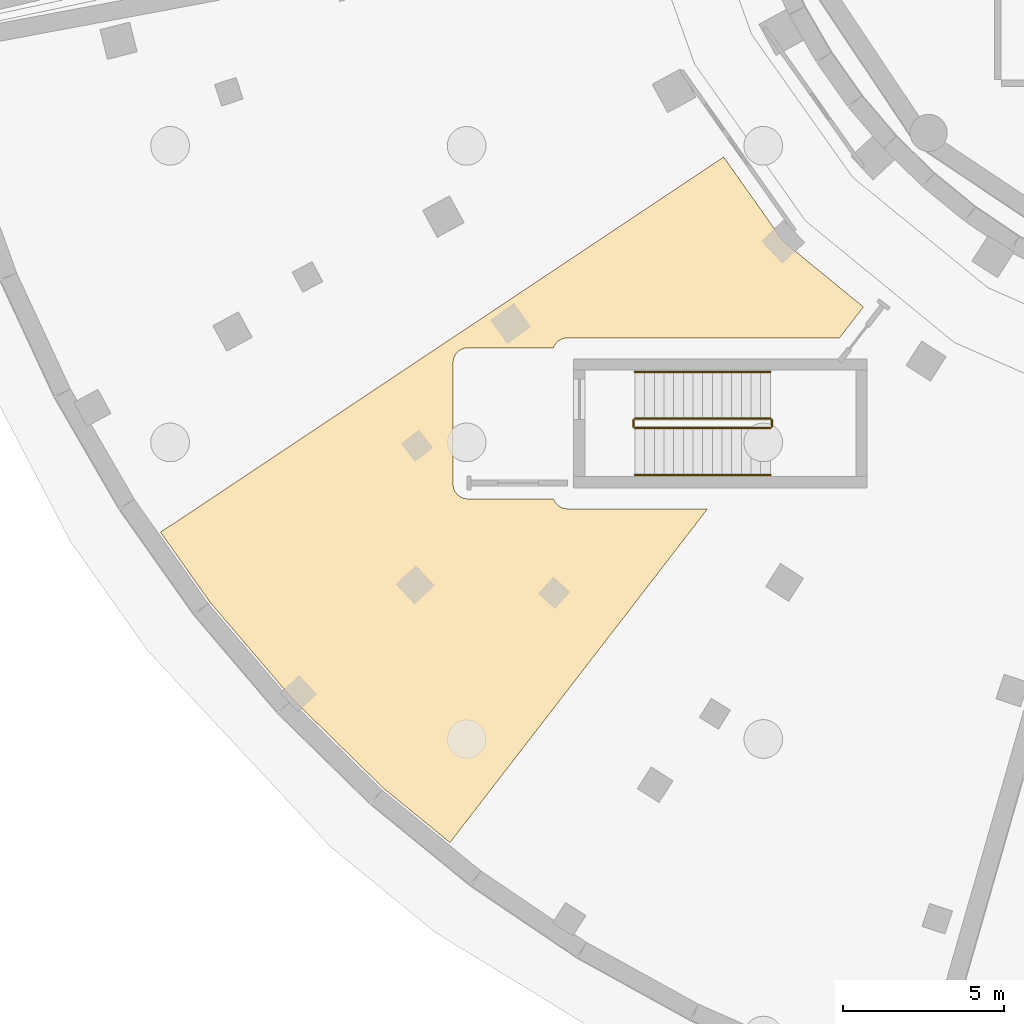
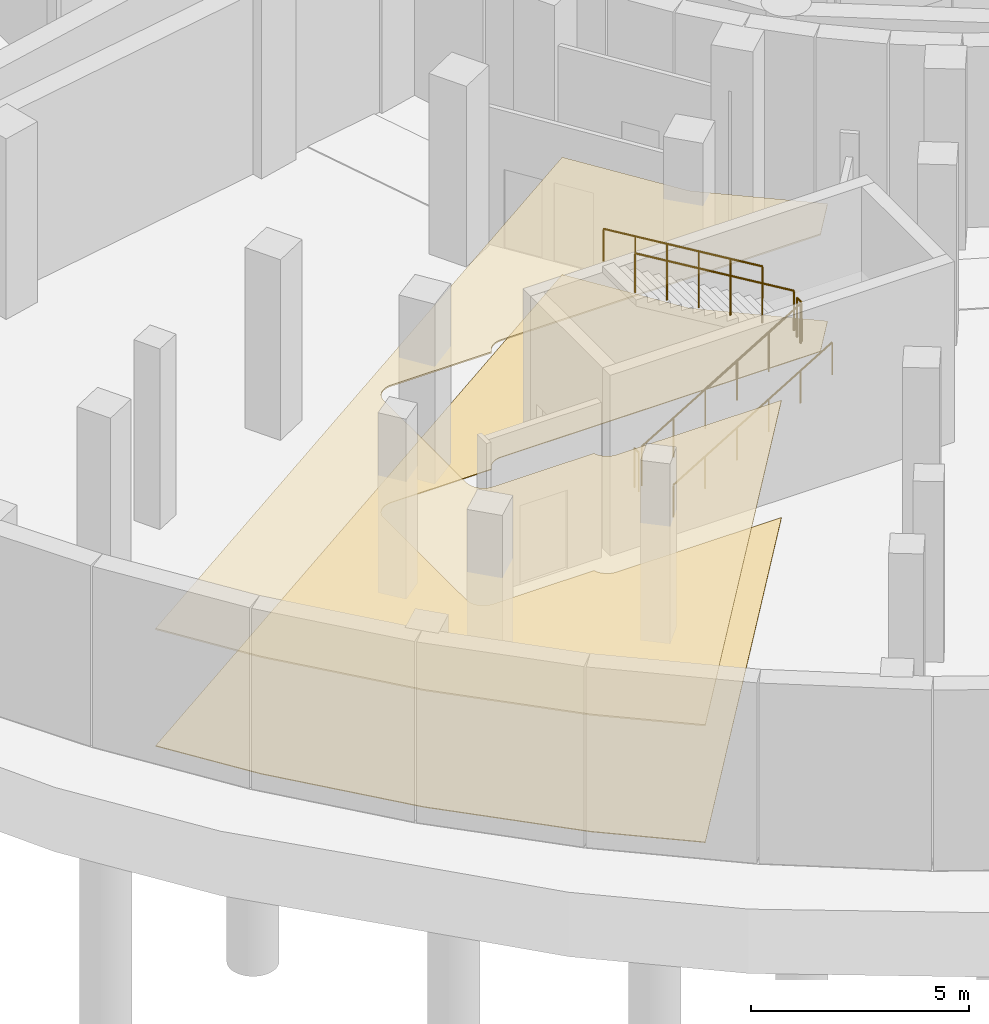
# One storey, part 20 of 33: 6 railings, 2 coverings.
"""IFC4 building model written with IfcOpenShell, lengths in metres."""

from ifc_helpers import new_model, si_unit, direction, frame, origin, origin_2d, place, context, subcontext, project, spatial, polyline, circle, outline, extrude, material, layer, layer_set, type_object, element, save


model = new_model("IFC4")

# Units and contexts
model_context = context("Model", 3, precision=1e-05, world=origin(), true_north=direction((0.0, 1.0)))
body_context = subcontext(model_context, "Body", "Model", "MODEL_VIEW")
ifc_project = project(units=[si_unit("LENGTHUNIT", "METRE"), si_unit("AREAUNIT", "SQUARE_METRE"), si_unit("VOLUMEUNIT", "CUBIC_METRE"), si_unit("PLANEANGLEUNIT", "RADIAN"), si_unit("MASSUNIT", "GRAM", prefix="KILO")], contexts=[model_context])

# Site, building, storey
site_placement = place(None, origin())
site = spatial("IfcSite", under=ifc_project, at=site_placement, CompositionType="ELEMENT")
building_placement = place(site_placement, origin())
building = spatial("IfcBuilding", under=site, at=building_placement, Name="Soyqirgoq Riverine Aquarium", CompositionType="ELEMENT")
storey_placement = place(building_placement, frame((0.0, 0.0, -5.39990234375)))
storey = spatial("IfcBuildingStorey", under=building, at=storey_placement, Name="B01", CompositionType="ELEMENT", Elevation=-5.39990234375)

# Coverings
ifc_material_1 = material(Name="Seamless slip-resistant marine epoxy flooring", Category="concrete")
ifc_layer_1 = layer(ifc_material_1, 0.02001953125)
ifc_layer_set_1 = layer_set([ifc_layer_1], Name="Seamless slip-resistant marine epoxy flooring")
covering_type_1 = type_object("IfcCoveringType", Name="EpoxyWetFloorFinish_20", PredefinedType="FLOORING", material=ifc_layer_set_1)
covering_1_placement = place(storey_placement, origin())
element("IfcCovering", 1, at=covering_1_placement, inside=storey, type_object=covering_type_1, Name="Aquarium Retail Archive Floor Finish", PredefinedType="FLOORING", context=body_context, shape_type="SweptSolid", body=[
    extrude(outline(polyline([(26.75390625, 24.327880859375), (23.930908203125, 27.094970703125), (21.367919921875, 30.10400390625), (19.833984375, 32.27392578125), (37.302978515625, 43.909912109375), (39.117919921875, 41.341064453125), (39.14306640625, 41.30908203125), (39.1708984375, 41.279052734375), (39.200927734375, 41.251953125), (41.636962890625, 39.261962890625), (40.89501953125, 38.300048828125), (32.449951171875, 38.300048828125), (32.406005859375, 38.298095703125), (32.362060546875, 38.291015625), (32.319091796875, 38.281005859375), (32.278076171875, 38.26611328125), (32.238037109375, 38.2470703125), (32.199951171875, 38.22412109375), (32.1650390625, 38.197998046875), (32.132080078125, 38.16796875), (32.10205078125, 38.135009765625), (32.075927734375, 38.10009765625), (32.052978515625, 38.06201171875), (32.033935546875, 38.02197265625), (32.02294921875, 37.989990234375), (29.360107421875, 37.989990234375), (29.31591796875, 37.988037109375), (29.27197265625, 37.98095703125), (29.22900390625, 37.970947265625), (29.18798828125, 37.9560546875), (29.14794921875, 37.93701171875), (29.110107421875, 37.9140625), (29.074951171875, 37.887939453125), (29.0419921875, 37.85791015625), (29.011962890625, 37.824951171875), (28.986083984375, 37.7900390625), (28.962890625, 37.751953125), (28.944091796875, 37.7119140625), (28.928955078125, 37.6708984375), (28.9189453125, 37.6279296875), (28.912109375, 37.583984375), (28.909912109375, 37.5400390625), (28.909912109375, 33.760009765625), (28.912109375, 33.716064453125), (28.9189453125, 33.672119140625), (28.928955078125, 33.62890625), (28.944091796875, 33.587890625), (28.962890625, 33.548095703125), (28.986083984375, 33.510009765625), (29.011962890625, 33.47509765625), (29.0419921875, 33.44189453125), (29.074951171875, 33.412109375), (29.110107421875, 33.385986328125), (29.14794921875, 33.363037109375), (29.18798828125, 33.343994140625), (29.22900390625, 33.3291015625), (29.27197265625, 33.319091796875), (29.31591796875, 33.31201171875), (29.360107421875, 33.31005859375), (32.02294921875, 33.31005859375), (32.033935546875, 33.278076171875), (32.052978515625, 33.238037109375), (32.075927734375, 33.199951171875), (32.10205078125, 33.1650390625), (32.132080078125, 33.132080078125), (32.1650390625, 33.10205078125), (32.199951171875, 33.075927734375), (32.238037109375, 33.052978515625), (32.278076171875, 33.033935546875), (32.319091796875, 33.01904296875), (32.362060546875, 33.009033203125), (32.406005859375, 33.001953125), (32.449951171875, 33.0), (36.802978515625, 33.0), (28.81201171875, 22.64697265625), (26.75390625, 24.327880859375)])), origin(), (0.0, 0.0, 1.0), 0.02001953125),
])
ifc_material_2 = material(Name="Anodised aluminium marine moisture-resistant ceiling", Category="aluminium")
ifc_layer_2 = layer(ifc_material_2, 0.0400390625)
ifc_layer_set_2 = layer_set([ifc_layer_2], Name="Anodised aluminium marine moisture-resistant ceiling")
covering_type_2 = type_object("IfcCoveringType", Name="MoistureCeiling_40", PredefinedType="CEILING", material=ifc_layer_set_2)
covering_2_placement = place(storey_placement, frame((0.0, 0.0, 3.260009765625)))
element("IfcCovering", 2, at=covering_2_placement, inside=storey, type_object=covering_type_2, Name="Aquarium Retail Archive Suspended Ceiling", PredefinedType="CEILING", context=body_context, shape_type="SweptSolid", body=[
    extrude(outline(polyline([(26.75390625, 24.327880859375), (23.930908203125, 27.094970703125), (21.367919921875, 30.10400390625), (19.833984375, 32.27392578125), (37.302978515625, 43.909912109375), (39.117919921875, 41.341064453125), (39.14306640625, 41.30908203125), (39.1708984375, 41.279052734375), (39.200927734375, 41.251953125), (41.636962890625, 39.261962890625), (40.89501953125, 38.300048828125), (32.449951171875, 38.300048828125), (32.406005859375, 38.298095703125), (32.362060546875, 38.291015625), (32.319091796875, 38.281005859375), (32.278076171875, 38.26611328125), (32.238037109375, 38.2470703125), (32.199951171875, 38.22412109375), (32.1650390625, 38.197998046875), (32.132080078125, 38.16796875), (32.10205078125, 38.135009765625), (32.075927734375, 38.10009765625), (32.052978515625, 38.06201171875), (32.033935546875, 38.02197265625), (32.02294921875, 37.989990234375), (29.360107421875, 37.989990234375), (29.31591796875, 37.988037109375), (29.27197265625, 37.98095703125), (29.22900390625, 37.970947265625), (29.18798828125, 37.9560546875), (29.14794921875, 37.93701171875), (29.110107421875, 37.9140625), (29.074951171875, 37.887939453125), (29.0419921875, 37.85791015625), (29.011962890625, 37.824951171875), (28.986083984375, 37.7900390625), (28.962890625, 37.751953125), (28.944091796875, 37.7119140625), (28.928955078125, 37.6708984375), (28.9189453125, 37.6279296875), (28.912109375, 37.583984375), (28.909912109375, 37.5400390625), (28.909912109375, 33.760009765625), (28.912109375, 33.716064453125), (28.9189453125, 33.672119140625), (28.928955078125, 33.62890625), (28.944091796875, 33.587890625), (28.962890625, 33.548095703125), (28.986083984375, 33.510009765625), (29.011962890625, 33.47509765625), (29.0419921875, 33.44189453125), (29.074951171875, 33.412109375), (29.110107421875, 33.385986328125), (29.14794921875, 33.363037109375), (29.18798828125, 33.343994140625), (29.22900390625, 33.3291015625), (29.27197265625, 33.319091796875), (29.31591796875, 33.31201171875), (29.360107421875, 33.31005859375), (32.02294921875, 33.31005859375), (32.033935546875, 33.278076171875), (32.052978515625, 33.238037109375), (32.075927734375, 33.199951171875), (32.10205078125, 33.1650390625), (32.132080078125, 33.132080078125), (32.1650390625, 33.10205078125), (32.199951171875, 33.075927734375), (32.238037109375, 33.052978515625), (32.278076171875, 33.033935546875), (32.319091796875, 33.01904296875), (32.362060546875, 33.009033203125), (32.406005859375, 33.001953125), (32.449951171875, 33.0), (36.802978515625, 33.0), (28.81201171875, 22.64697265625), (26.75390625, 24.327880859375)])), origin(), (0.0, 0.0, 1.0), 0.039794921875),
])

# Railings
ifc_material_3 = material(Name="Brushed stainless steel 316L tubular handrail", Category="steel")
railing_type_1 = type_object("IfcRailingType", Name="StairPitchHandrail_920", PredefinedType="HANDRAIL", material=ifc_material_3)
railing_1_placement = place(storey_placement, frame((34.550048828125, 34.050048828125, 0.179931640625)))
element("IfcRailing", 3, at=railing_1_placement, inside=storey, type_object=railing_type_1, Name="B01 ST-2 stair handrail 1", PredefinedType="HANDRAIL", context=body_context, shape_type="SweptSolid", body=[
    extrude(circle(Radius=0.02392578125, at=origin_2d()), frame((0.0, 0.0, 0.89990234375), z_axis=(0.857488527567, 0.0, 0.514503085598), x_axis=(0.0, 1.0, 0.0)), (0.0, 0.0, 1.0), 4.89794921875),
    extrude(circle(Radius=0.02099609375, at=origin_2d()), origin(), (0.0, 0.0, 1.0), 0.875732421875),
    extrude(circle(Radius=0.02099609375, at=origin_2d()), frame((0.840087890625, 0.0, 0.50390625)), (0.0, 0.0, 1.0), 0.875732421875),
    extrude(circle(Radius=0.02099609375, at=origin_2d()), frame((1.679931640625, 0.0, 1.008056640625)), (0.0, 0.0, 1.0), 0.875732421875),
    extrude(circle(Radius=0.02099609375, at=origin_2d()), frame((2.52001953125, 0.0, 1.511962890625)), (0.0, 0.0, 1.0), 0.875732421875),
    extrude(circle(Radius=0.02099609375, at=origin_2d()), frame((3.35986328125, 0.0, 2.01611328125)), (0.0, 0.0, 1.0), 0.875732421875),
    extrude(circle(Radius=0.02099609375, at=origin_2d()), frame((4.199951171875, 0.0, 2.52001953125)), (0.0, 0.0, 1.0), 0.875732421875),
])
railing_2_placement = place(storey_placement, frame((38.75, 37.25, 2.8798828125)))
element("IfcRailing", 4, at=railing_2_placement, inside=storey, type_object=railing_type_1, Name="B01 ST-2 stair handrail 2", PredefinedType="HANDRAIL", context=body_context, shape_type="SweptSolid", body=[
    extrude(circle(Radius=0.02392578125, at=origin_2d()), frame((0.0, 0.0, 0.89990234375), z_axis=(-0.857488527567, 0.0, 0.514503085598), x_axis=(0.0, -1.0, 0.0)), (0.0, 0.0, 1.0), 4.89794921875),
    extrude(circle(Radius=0.02099609375, at=origin_2d()), origin(), (0.0, 0.0, 1.0), 0.875732421875),
    extrude(circle(Radius=0.02099609375, at=origin_2d()), frame((-0.840087890625, 0.0, 0.50390625)), (0.0, 0.0, 1.0), 0.875732421875),
    extrude(circle(Radius=0.02099609375, at=origin_2d()), frame((-1.679931640625, 0.0, 1.008056640625)), (0.0, 0.0, 1.0), 0.875732421875),
    extrude(circle(Radius=0.02099609375, at=origin_2d()), frame((-2.52001953125, 0.0, 1.511962890625)), (0.0, 0.0, 1.0), 0.875732421875),
    extrude(circle(Radius=0.02099609375, at=origin_2d()), frame((-3.35986328125, 0.0, 2.01611328125)), (0.0, 0.0, 1.0), 0.875732421875),
    extrude(circle(Radius=0.02099609375, at=origin_2d()), frame((-4.199951171875, 0.0, 2.52001953125)), (0.0, 0.0, 1.0), 0.875732421875),
])
ifc_material_4 = material(Name="Painted steel infill stair-well guardrail", Category="steel")
railing_type_2 = type_object("IfcRailingType", Name="StairWellGuard_1120", PredefinedType="GUARDRAIL", material=ifc_material_4)
railing_3_placement = place(storey_placement, frame((34.550048828125, 35.5, 0.179931640625)))
element("IfcRailing", 5, at=railing_3_placement, inside=storey, type_object=railing_type_2, Name="B01 ST-2 stair guard 1", PredefinedType="GUARDRAIL", context=body_context, shape_type="SweptSolid", body=[
    extrude(circle(Radius=0.02392578125, at=origin_2d()), frame((0.0, 0.0, 1.09619140625), z_axis=(0.857488527567, 0.0, 0.514503085598), x_axis=(0.0, 1.0, 0.0)), (0.0, 0.0, 1.0), 4.89794921875),
    extrude(circle(Radius=0.02099609375, at=origin_2d()), origin(), (0.0, 0.0, 1.0), 1.072021484375),
    extrude(circle(Radius=0.02099609375, at=origin_2d()), frame((0.840087890625, 0.0, 0.50390625)), (0.0, 0.0, 1.0), 1.072021484375),
    extrude(circle(Radius=0.02099609375, at=origin_2d()), frame((1.679931640625, 0.0, 1.008056640625)), (0.0, 0.0, 1.0), 1.072021484375),
    extrude(circle(Radius=0.02099609375, at=origin_2d()), frame((2.52001953125, 0.0, 1.511962890625)), (0.0, 0.0, 1.0), 1.072021484375),
    extrude(circle(Radius=0.02099609375, at=origin_2d()), frame((3.35986328125, 0.0, 2.01611328125)), (0.0, 0.0, 1.0), 1.072021484375),
    extrude(circle(Radius=0.02099609375, at=origin_2d()), frame((4.199951171875, 0.0, 2.52001953125)), (0.0, 0.0, 1.0), 1.072021484375),
])
railing_4_placement = place(storey_placement, frame((38.800048828125, 35.550048828125, 2.699951171875)))
element("IfcRailing", 6, at=railing_4_placement, inside=storey, type_object=railing_type_2, Name="B01 ST-2 stair guard 2", PredefinedType="GUARDRAIL", context=body_context, shape_type="SweptSolid", body=[
    extrude(circle(Radius=0.02392578125, at=origin_2d()), frame((0.0, 0.0, 1.09619140625), z_axis=(0.0, 1.0, 0.0), x_axis=(-1.0, 0.0, 0.0)), (0.0, 0.0, 1.0), 0.199951171875),
    extrude(circle(Radius=0.02099609375, at=origin_2d()), origin(), (0.0, 0.0, 1.0), 1.072021484375),
    extrude(circle(Radius=0.02099609375, at=origin_2d()), frame((0.0, 0.199951171875, 0.0)), (0.0, 0.0, 1.0), 1.072021484375),
])
railing_5_placement = place(storey_placement, frame((38.75, 35.800048828125, 2.8798828125)))
element("IfcRailing", 7, at=railing_5_placement, inside=storey, type_object=railing_type_2, Name="B01 ST-2 stair guard 3", PredefinedType="GUARDRAIL", context=body_context, shape_type="SweptSolid", body=[
    extrude(circle(Radius=0.02392578125, at=origin_2d()), frame((0.0, 0.0, 1.09619140625), z_axis=(-0.857488527567, 0.0, 0.514503085598), x_axis=(0.0, -1.0, 0.0)), (0.0, 0.0, 1.0), 4.89794921875),
    extrude(circle(Radius=0.02099609375, at=origin_2d()), origin(), (0.0, 0.0, 1.0), 1.072021484375),
    extrude(circle(Radius=0.02099609375, at=origin_2d()), frame((-0.840087890625, 0.0, 0.50390625)), (0.0, 0.0, 1.0), 1.072021484375),
    extrude(circle(Radius=0.02099609375, at=origin_2d()), frame((-1.679931640625, 0.0, 1.008056640625)), (0.0, 0.0, 1.0), 1.072021484375),
    extrude(circle(Radius=0.02099609375, at=origin_2d()), frame((-2.52001953125, 0.0, 1.511962890625)), (0.0, 0.0, 1.0), 1.072021484375),
    extrude(circle(Radius=0.02099609375, at=origin_2d()), frame((-3.35986328125, 0.0, 2.01611328125)), (0.0, 0.0, 1.0), 1.072021484375),
    extrude(circle(Radius=0.02099609375, at=origin_2d()), frame((-4.199951171875, 0.0, 2.52001953125)), (0.0, 0.0, 1.0), 1.072021484375),
])
railing_6_placement = place(storey_placement, frame((34.5, 35.550048828125, 0.0)))
element("IfcRailing", 8, at=railing_6_placement, inside=storey, type_object=railing_type_2, Name="B01 ST-2 stair guard 4", PredefinedType="GUARDRAIL", context=body_context, shape_type="SweptSolid", body=[
    extrude(circle(Radius=0.02392578125, at=origin_2d()), frame((0.0, 0.0, 1.09619140625), z_axis=(0.0, 1.0, 0.0), x_axis=(-1.0, 0.0, 0.0)), (0.0, 0.0, 1.0), 0.199951171875),
    extrude(circle(Radius=0.02099609375, at=origin_2d()), origin(), (0.0, 0.0, 1.0), 1.072021484375),
    extrude(circle(Radius=0.02099609375, at=origin_2d()), frame((0.0, 0.199951171875, 0.0)), (0.0, 0.0, 1.0), 1.072021484375),
])

save(model, "model.ifc")
